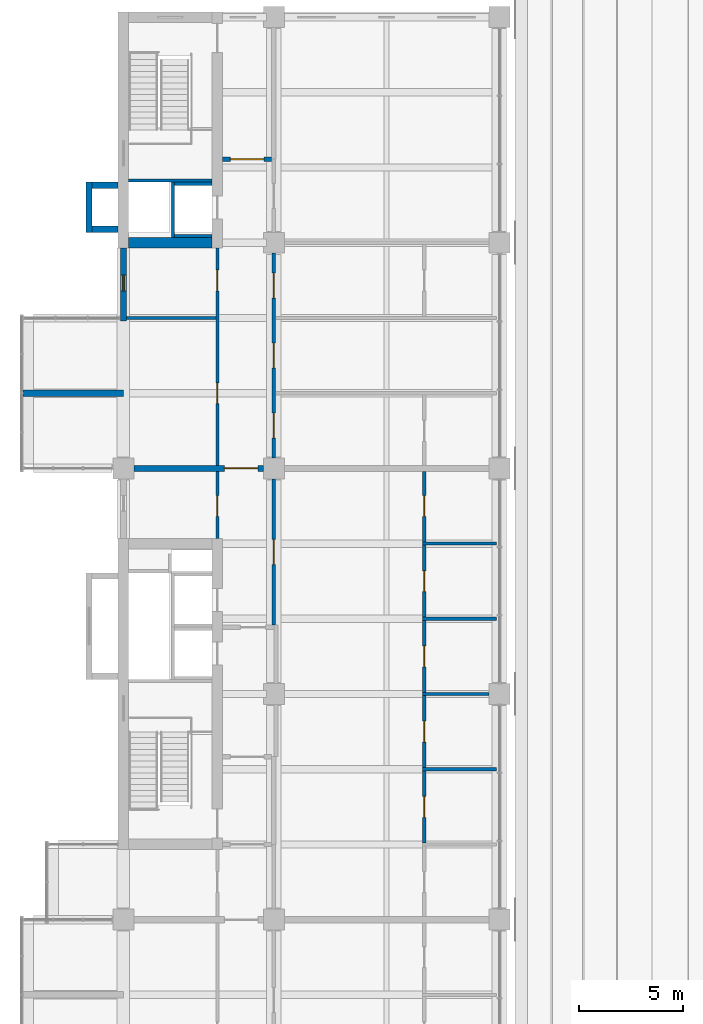
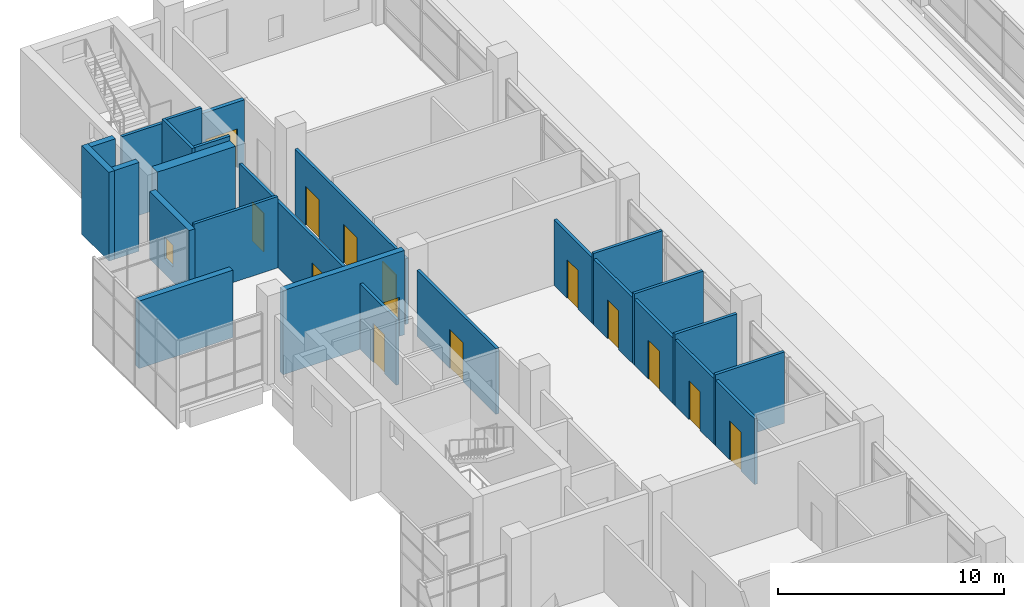
# One storey, part 33 of 45: 26 walls, 14 doors, 1 window, 15 openings.
"""IFC4 building model written with IfcOpenShell, lengths in metres."""

from ifc_helpers import new_model, si_unit, direction, frame, frame_2d, origin, place, context, subcontext, project, spatial, rectangle, extrude, material, layer, layer_set, type_object, element, fill, save


model = new_model("IFC4")

# Units and contexts
model_context = context("Model", 3, precision=1e-05, world=origin(), true_north=direction((0.0, 1.0)))
body_context = subcontext(model_context, "Body", "Model", "MODEL_VIEW")
ifc_project = project(units=[si_unit("LENGTHUNIT", "METRE"), si_unit("AREAUNIT", "SQUARE_METRE"), si_unit("VOLUMEUNIT", "CUBIC_METRE"), si_unit("PLANEANGLEUNIT", "RADIAN"), si_unit("MASSUNIT", "GRAM", prefix="KILO")], contexts=[model_context])

# Site, building, storey
site_placement = place(None, origin())
site = spatial("IfcSite", under=ifc_project, at=site_placement, CompositionType="ELEMENT")
building_placement = place(site_placement, origin())
building = spatial("IfcBuilding", under=site, at=building_placement, Name="Basin Gate Institute", CompositionType="ELEMENT")
storey_placement = place(building_placement, frame((0.0, 0.0, 22.199951171875)))
storey = spatial("IfcBuildingStorey", under=building, at=storey_placement, Name="L04", CompositionType="ELEMENT", Elevation=22.199951171875)

# Wall
ifc_material_1 = material(Name="Aluminium-faced insulated panel wall", Category="aluminium")
ifc_layer_1 = layer(ifc_material_1, 0.300048828125)
ifc_layer_set_1 = layer_set([ifc_layer_1], Name="Capsule side wall EW2 EI 120")
wall_type_1 = type_object("IfcWallType", Name="Capsule side wall EW2 EI 120", PredefinedType="STANDARD", material=ifc_layer_set_1)
wall_1_placement = place(storey_placement, frame((56.39990234375, 81.89990234375, 0.0), z_axis=(0.0, 0.0, 1.0), x_axis=(1.0, 0.0, 0.0)))
element("IfcWall", 1, at=wall_1_placement, inside=storey, type_object=wall_type_1, material=ifc_layer_set_1, Name="Capsule side wall W wing L04 line 14", PredefinedType="STANDARD", context=body_context, shape_type="SweptSolid", body=[
    extrude(rectangle(XDim=4.800048828125, YDim=0.300048828125, at=frame_2d((2.39990234375, 0.0))), origin(), (0.0, 0.0, 1.0), 3.650146484375),
])

# Wall, opening, door
ifc_material_2 = material(Name="Fire-rated masonry", Category="masonry")
ifc_layer_2 = layer(ifc_material_2, 0.199951171875)
ifc_layer_set_2 = layer_set([ifc_layer_2], Name="Enclosure wall PW2 200 EI 60")
wall_type_2 = type_object("IfcWallType", Name="Enclosure wall PW2 200 EI 60", PredefinedType="PARTITIONING", material=ifc_layer_set_2)
wall_2_placement = place(storey_placement, frame((65.949951171875, 93.10009765625, 0.0), z_axis=(0.0, 0.0, 1.0), x_axis=(1.0, 0.0, 0.0)))
wall_2 = element("IfcWall", 2, at=wall_2_placement, inside=storey, type_object=wall_type_2, material=ifc_layer_set_2, Name="Smoke lobby enclosure wall PW2 L04", PredefinedType="PARTITIONING", context=body_context, shape_type="SweptSolid", body=[
    extrude(rectangle(XDim=2.35009765625, YDim=0.199951171875, at=frame_2d((1.175048828125, 0.0))), origin(), (0.0, 0.0, 1.0), 3.550048828125),
])
opening_1_placement = place(wall_2_placement, frame((0.375, 0.0, 0.0)))
opening_1 = element("IfcOpeningElement", 3, at=opening_1_placement, cuts=wall_2, Name="Opening DR242", PredefinedType="OPENING", context=body_context, shape_type="SweptSolid", body=[
    extrude(rectangle(XDim=1.60009765625, YDim=2.10009765625, at=frame_2d((0.800048828125, 1.050048828125))), frame((0.0, 0.10986328125, 0.0), z_axis=(0.0, -1.0, 0.0), x_axis=(1.0, 0.0, 0.0)), (0.0, 0.0, 1.0), 0.219970703125),
])
ifc_material_3 = material(Name="Steel fire door", Category="steel")
door_type_1 = type_object("IfcDoorType", Name="FD60 Smoke lobby door pair D8", OperationType="DOUBLE_DOOR_SINGLE_SWING", PredefinedType="DOOR", material=ifc_material_3)
door_1_placement = place(opening_1_placement, origin())
door_1 = element("IfcDoor", 4, at=door_1_placement, inside=storey, type_object=door_type_1, material=ifc_material_3, Name="Smoke lobby door SS3 L04", OperationType="DOUBLE_DOOR_SINGLE_SWING", OverallHeight=2.10009765625, OverallWidth=1.60009765625, PredefinedType="DOOR", context=body_context, shape_type="SweptSolid", body=[
    extrude(rectangle(XDim=1.60009765625, YDim=2.10009765625, at=frame_2d((0.800048828125, 1.050048828125))), frame((0.0, 0.02490234375, 0.0), z_axis=(0.0, -1.0, 0.0), x_axis=(1.0, 0.0, 0.0)), (0.0, 0.0, 1.0), 0.050048828125),
])
fill(opening_1, door_1)

# Wall, opening, window
ifc_material_4 = material(Name="Aluminium-faced insulated panel wall", Category="aluminium")
ifc_layer_3 = layer(ifc_material_4, 0.300048828125)
ifc_layer_set_3 = layer_set([ifc_layer_3], Name="External wall EW1 EI 120")
wall_type_3 = type_object("IfcWallType", Name="External wall EW1 EI 120", PredefinedType="STANDARD", material=ifc_layer_set_3)
wall_3_placement = place(storey_placement, frame((61.199951171875, 85.35009765625, 0.0), z_axis=(0.0, 0.0, 1.0), x_axis=(0.0, 1.0, 0.0)))
wall_3 = element("IfcWall", 5, at=wall_3_placement, inside=storey, type_object=wall_type_3, material=ifc_layer_set_3, Name="External wall W facade L04 2", PredefinedType="STANDARD", context=body_context, shape_type="SweptSolid", body=[
    extrude(rectangle(XDim=3.5, YDim=0.300048828125, at=frame_2d((1.75, 0.0))), origin(), (0.0, 0.0, 1.0), 3.650146484375),
])
opening_2_placement = place(wall_3_placement, frame((1.449951171875, 0.0, 0.800048828125)))
opening_2 = element("IfcOpeningElement", 6, at=opening_2_placement, cuts=wall_3, Name="Opening WN3", PredefinedType="OPENING", context=body_context, shape_type="SweptSolid", body=[
    extrude(rectangle(XDim=0.75, YDim=1.199951171875, at=frame_2d((0.375, 0.60009765625))), frame((0.0, 0.16015625, 0.0), z_axis=(0.0, -1.0, 0.0), x_axis=(1.0, 0.0, 0.0)), (0.0, 0.0, 1.0), 0.320068359375),
])
ifc_material_5 = material(Name="Aluminium-framed double glazing", Category="aluminium")
window_type = type_object("IfcWindowType", Name="Emergency entry panel WN3", PartitioningType="SINGLE_PANEL", PredefinedType="WINDOW", material=ifc_material_5)
window_placement = place(opening_2_placement, origin())
window = element("IfcWindow", 7, at=window_placement, inside=storey, type_object=window_type, material=ifc_material_5, Name="Emergency entry panel W facade L04 bay 15", OverallHeight=1.199951171875, OverallWidth=0.75, PartitioningType="SINGLE_PANEL", PredefinedType="WINDOW", context=body_context, shape_type="SweptSolid", body=[
    extrude(rectangle(XDim=0.75, YDim=1.199951171875, at=frame_2d((0.375, 0.60009765625))), frame((0.0, 0.030029296875, 0.0), z_axis=(0.0, -1.0, 0.0), x_axis=(1.0, 0.0, 0.0)), (0.0, 0.0, 1.0), 0.06005859375),
])
fill(opening_2, window)

# Wall, opening, door
ifc_material_6 = material(Name="Gypsum board on steel stud", Category="steel")
ifc_layer_4 = layer(ifc_material_6, 0.14990234375)
ifc_layer_set_4 = layer_set([ifc_layer_4], Name="Gypsum board on steel stud")
wall_type_4 = type_object("IfcWallType", Name="Partition PW1 150 EI 60", PredefinedType="PARTITIONING", material=ifc_layer_set_4)
wall_4_placement = place(storey_placement, frame((65.699951171875, 74.949951171875, 0.0), z_axis=(0.0, 0.0, 1.0), x_axis=(0.0, 1.0, 0.0)))
wall_4 = element("IfcWall", 8, at=wall_4_placement, inside=storey, type_object=wall_type_4, material=ifc_layer_set_4, Name="Corridor wall PW1 L04", PredefinedType="PARTITIONING", context=body_context, shape_type="SweptSolid", body=[
    extrude(rectangle(XDim=3.199951171875, YDim=0.14990234375, at=frame_2d((1.60009765625, 0.0))), origin(), (0.0, 0.0, 1.0), 3.550048828125),
])
opening_3_placement = place(wall_4_placement, frame((1.050048828125, 0.0, 0.0)))
opening_3 = element("IfcOpeningElement", 9, at=opening_3_placement, cuts=wall_4, Name="Opening DR214", PredefinedType="OPENING", context=body_context, shape_type="SweptSolid", body=[
    extrude(rectangle(XDim=1.0, YDim=2.10009765625, at=frame_2d((0.5, 1.050048828125))), frame((0.0, 0.0849609375, 0.0), z_axis=(0.0, -1.0, 0.0), x_axis=(1.0, 0.0, 0.0)), (0.0, 0.0, 1.0), 0.169921875),
])
ifc_material_7 = material(Name="Timber fire door", Category="wood")
door_type_2 = type_object("IfcDoorType", Name="FD30 Toilet door D3", OperationType="NOTDEFINED", PredefinedType="DOOR", material=ifc_material_7)
door_2_placement = place(opening_3_placement, origin())
door_2 = element("IfcDoor", 10, at=door_2_placement, inside=storey, type_object=door_type_2, material=ifc_material_7, Name="Door to Female WC L04", OperationType="SINGLE_SWING_LEFT", OverallHeight=2.10009765625, OverallWidth=1.0, PredefinedType="DOOR", context=body_context, shape_type="SweptSolid", body=[
    extrude(rectangle(XDim=1.0, YDim=2.10009765625, at=frame_2d((0.5, 1.050048828125))), frame((0.0, 0.02490234375, 0.0), z_axis=(0.0, -1.0, 0.0), x_axis=(1.0, 0.0, 0.0)), (0.0, 0.0, 1.0), 0.050048828125),
])
fill(opening_3, door_2)

# Wall, openings, doors
wall_5_placement = place(storey_placement, frame((65.699951171875, 78.449951171875, 0.0), z_axis=(0.0, 0.0, 1.0), x_axis=(0.0, 1.0, 0.0)))
wall_5 = element("IfcWall", 11, at=wall_5_placement, inside=storey, type_object=wall_type_4, material=ifc_layer_set_4, Name="Corridor wall PW1 L04", PredefinedType="PARTITIONING", context=body_context, shape_type="SweptSolid", body=[
    extrude(rectangle(XDim=10.400146484375, YDim=0.14990234375, at=frame_2d((5.2001953125, 0.0))), origin(), (0.0, 0.0, 1.0), 3.550048828125),
])
opening_4_placement = place(wall_5_placement, frame((8.35009765625, 0.0, 0.0)))
opening_4 = element("IfcOpeningElement", 12, at=opening_4_placement, cuts=wall_5, Name="Opening DR212", PredefinedType="OPENING", context=body_context, shape_type="SweptSolid", body=[
    extrude(rectangle(XDim=1.0, YDim=2.10009765625, at=frame_2d((0.5, 1.050048828125))), frame((0.0, 0.0849609375, 0.0), z_axis=(0.0, -1.0, 0.0), x_axis=(1.0, 0.0, 0.0)), (0.0, 0.0, 1.0), 0.169921875),
])
opening_5_placement = place(wall_5_placement, frame((2.949951171875, 0.0, 0.0)))
opening_5 = element("IfcOpeningElement", 13, at=opening_5_placement, cuts=wall_5, Name="Opening DR219", PredefinedType="OPENING", context=body_context, shape_type="SweptSolid", body=[
    extrude(rectangle(XDim=1.0, YDim=2.10009765625, at=frame_2d((0.5, 1.050048828125))), frame((0.0, 0.0849609375, 0.0), z_axis=(0.0, -1.0, 0.0), x_axis=(1.0, 0.0, 0.0)), (0.0, 0.0, 1.0), 0.169921875),
])
ifc_material_8 = material(Name="Timber fire door", Category="wood")
door_type_3 = type_object("IfcDoorType", Name="FD30 Office door D1", OperationType="NOTDEFINED", PredefinedType="DOOR", material=ifc_material_8)
door_3_placement = place(opening_5_placement, origin())
door_3 = element("IfcDoor", 14, at=door_3_placement, inside=storey, type_object=door_type_3, material=ifc_material_8, Name="Door to Meeting Room 0404 L04", OperationType="SINGLE_SWING_LEFT", OverallHeight=2.10009765625, OverallWidth=1.0, PredefinedType="DOOR", context=body_context, shape_type="SweptSolid", body=[
    extrude(rectangle(XDim=1.0, YDim=2.10009765625, at=frame_2d((0.5, 1.050048828125))), frame((0.0, 0.02490234375, 0.0), z_axis=(0.0, -1.0, 0.0), x_axis=(1.0, 0.0, 0.0)), (0.0, 0.0, 1.0), 0.050048828125),
])
fill(opening_5, door_3)
door_4_placement = place(opening_4_placement, origin())
door_4 = element("IfcDoor", 15, at=door_4_placement, inside=storey, type_object=door_type_2, material=ifc_material_7, Name="Door to Accessible WC L04", OperationType="SINGLE_SWING_RIGHT", OverallHeight=2.10009765625, OverallWidth=1.0, PredefinedType="DOOR", context=body_context, shape_type="SweptSolid", body=[
    extrude(rectangle(XDim=1.0, YDim=2.10009765625, at=frame_2d((0.5, 1.050048828125))), frame((0.0, 0.02490234375, 0.0), z_axis=(0.0, -1.0, 0.0), x_axis=(1.0, 0.0, 0.0)), (0.0, 0.0, 1.0), 0.050048828125),
])
fill(opening_4, door_4)

# Wall, opening, door
wall_6_placement = place(storey_placement, frame((68.39990234375, 70.800048828125, 0.0), z_axis=(0.0, 0.0, 1.0), x_axis=(0.0, 1.0, 0.0)))
wall_6 = element("IfcWall", 16, at=wall_6_placement, inside=storey, type_object=wall_type_4, material=ifc_layer_set_4, Name="Laboratory corridor wall PW1 L04", PredefinedType="PARTITIONING", context=body_context, shape_type="SweptSolid", body=[
    extrude(rectangle(XDim=7.0, YDim=0.14990234375, at=frame_2d((3.5, 0.0))), origin(), (0.0, 0.0, 1.0), 3.550048828125),
])
opening_6_placement = place(wall_6_placement, frame((2.89990234375, 0.0, 0.0)))
opening_6 = element("IfcOpeningElement", 17, at=opening_6_placement, cuts=wall_6, Name="Opening DR222", PredefinedType="OPENING", context=body_context, shape_type="SweptSolid", body=[
    extrude(rectangle(XDim=1.199951171875, YDim=2.10009765625, at=frame_2d((0.60009765625, 1.050048828125))), frame((0.0, 0.0849609375, 0.0), z_axis=(0.0, -1.0, 0.0), x_axis=(1.0, 0.0, 0.0)), (0.0, 0.0, 1.0), 0.169921875),
])
ifc_material_9 = material(Name="Timber fire door", Category="wood")
door_type_4 = type_object("IfcDoorType", Name="FD30 Laboratory door D2", OperationType="DOUBLE_DOOR_SINGLE_SWING", PredefinedType="DOOR", material=ifc_material_9)
door_5_placement = place(opening_6_placement, frame((1.199951171875, 0.0, 0.0), z_axis=(0.0, 0.0, 1.0), x_axis=(-1.0, 0.0, 0.0)))
door_5 = element("IfcDoor", 18, at=door_5_placement, inside=storey, type_object=door_type_4, material=ifc_material_9, Name="Door to Wet Laboratory 0422 L04", OperationType="DOUBLE_DOOR_SINGLE_SWING", OverallHeight=2.10009765625, OverallWidth=1.199951171875, PredefinedType="DOOR", context=body_context, shape_type="SweptSolid", body=[
    extrude(rectangle(XDim=1.199951171875, YDim=2.10009765625, at=frame_2d((0.60009765625, 1.050048828125))), frame((0.0, 0.02490234375, 0.0), z_axis=(0.0, -1.0, 0.0), x_axis=(1.0, 0.0, 0.0)), (0.0, 0.0, 1.0), 0.050048828125),
])
fill(opening_6, door_5)

# Wall, openings, doors
wall_7_placement = place(storey_placement, frame((68.39990234375, 78.800048828125, 0.0), z_axis=(0.0, 0.0, 1.0), x_axis=(0.0, 1.0, 0.0)))
wall_7 = element("IfcWall", 19, at=wall_7_placement, inside=storey, type_object=wall_type_4, material=ifc_layer_set_4, Name="Laboratory corridor wall PW1 L04", PredefinedType="PARTITIONING", context=body_context, shape_type="SweptSolid", body=[
    extrude(rectangle(XDim=9.800048828125, YDim=0.14990234375, at=frame_2d((4.89990234375, 0.0))), origin(), (0.0, 0.0, 1.0), 3.550048828125),
])
opening_7_placement = place(wall_7_placement, frame((4.300048828125, 0.0, 0.0)))
opening_7 = element("IfcOpeningElement", 20, at=opening_7_placement, cuts=wall_7, Name="Opening DR215", PredefinedType="OPENING", context=body_context, shape_type="SweptSolid", body=[
    extrude(rectangle(XDim=1.199951171875, YDim=2.10009765625, at=frame_2d((0.60009765625, 1.050048828125))), frame((0.0, 0.0849609375, 0.0), z_axis=(0.0, -1.0, 0.0), x_axis=(1.0, 0.0, 0.0)), (0.0, 0.0, 1.0), 0.169921875),
])
opening_8_placement = place(wall_7_placement, frame((0.949951171875, 0.0, 0.0)))
opening_8 = element("IfcOpeningElement", 21, at=opening_8_placement, cuts=wall_7, Name="Opening DR223", PredefinedType="OPENING", context=body_context, shape_type="SweptSolid", body=[
    extrude(rectangle(XDim=1.199951171875, YDim=2.10009765625, at=frame_2d((0.60009765625, 1.050048828125))), frame((0.0, 0.0849609375, 0.0), z_axis=(0.0, -1.0, 0.0), x_axis=(1.0, 0.0, 0.0)), (0.0, 0.0, 1.0), 0.169921875),
])
opening_9_placement = place(wall_7_placement, frame((7.64990234375, 0.0, 0.0)))
opening_9 = element("IfcOpeningElement", 22, at=opening_9_placement, cuts=wall_7, Name="Opening DR224", PredefinedType="OPENING", context=body_context, shape_type="SweptSolid", body=[
    extrude(rectangle(XDim=1.199951171875, YDim=2.10009765625, at=frame_2d((0.60009765625, 1.050048828125))), frame((0.0, 0.0849609375, 0.0), z_axis=(0.0, -1.0, 0.0), x_axis=(1.0, 0.0, 0.0)), (0.0, 0.0, 1.0), 0.169921875),
])
door_6_placement = place(opening_7_placement, frame((1.199951171875, 0.0, 0.0), z_axis=(0.0, 0.0, 1.0), x_axis=(-1.0, 0.0, 0.0)))
door_6 = element("IfcDoor", 23, at=door_6_placement, inside=storey, type_object=door_type_4, material=ifc_material_9, Name="Door to Instrument Room 0431 L04", OperationType="DOUBLE_DOOR_SINGLE_SWING", OverallHeight=2.10009765625, OverallWidth=1.199951171875, PredefinedType="DOOR", context=body_context, shape_type="SweptSolid", body=[
    extrude(rectangle(XDim=1.199951171875, YDim=2.10009765625, at=frame_2d((0.60009765625, 1.050048828125))), frame((0.0, 0.02490234375, 0.0), z_axis=(0.0, -1.0, 0.0), x_axis=(1.0, 0.0, 0.0)), (0.0, 0.0, 1.0), 0.050048828125),
])
fill(opening_7, door_6)
door_7_placement = place(opening_8_placement, frame((1.199951171875, 0.0, 0.0), z_axis=(0.0, 0.0, 1.0), x_axis=(-1.0, 0.0, 0.0)))
door_7 = element("IfcDoor", 24, at=door_7_placement, inside=storey, type_object=door_type_4, material=ifc_material_9, Name="Door to Wet Laboratory 0429 L04", OperationType="DOUBLE_DOOR_SINGLE_SWING", OverallHeight=2.10009765625, OverallWidth=1.199951171875, PredefinedType="DOOR", context=body_context, shape_type="SweptSolid", body=[
    extrude(rectangle(XDim=1.199951171875, YDim=2.10009765625, at=frame_2d((0.60009765625, 1.050048828125))), frame((0.0, 0.02490234375, 0.0), z_axis=(0.0, -1.0, 0.0), x_axis=(1.0, 0.0, 0.0)), (0.0, 0.0, 1.0), 0.050048828125),
])
fill(opening_8, door_7)
door_8_placement = place(opening_9_placement, frame((1.199951171875, 0.0, 0.0), z_axis=(0.0, 0.0, 1.0), x_axis=(-1.0, 0.0, 0.0)))
door_8 = element("IfcDoor", 25, at=door_8_placement, inside=storey, type_object=door_type_4, material=ifc_material_9, Name="Door to Wet Laboratory 0432 L04", OperationType="DOUBLE_DOOR_SINGLE_SWING", OverallHeight=2.10009765625, OverallWidth=1.199951171875, PredefinedType="DOOR", context=body_context, shape_type="SweptSolid", body=[
    extrude(rectangle(XDim=1.199951171875, YDim=2.10009765625, at=frame_2d((0.60009765625, 1.050048828125))), frame((0.0, 0.02490234375, 0.0), z_axis=(0.0, -1.0, 0.0), x_axis=(1.0, 0.0, 0.0)), (0.0, 0.0, 1.0), 0.050048828125),
])
fill(opening_9, door_8)

# Wall, opening, door
wall_8_placement = place(storey_placement, frame((75.60009765625, 60.375, 0.0), z_axis=(0.0, 0.0, 1.0), x_axis=(0.0, 1.0, 0.0)))
wall_8 = element("IfcWall", 26, at=wall_8_placement, inside=storey, type_object=wall_type_4, material=ifc_layer_set_4, Name="Laboratory partition PW1 L04", PredefinedType="PARTITIONING", context=body_context, shape_type="SweptSolid", body=[
    extrude(rectangle(XDim=3.449951171875, YDim=0.14990234375, at=frame_2d((1.72509765625, 0.0))), origin(), (0.0, 0.0, 1.0), 3.550048828125),
])
opening_10_placement = place(wall_8_placement, frame((1.22509765625, 0.0, 0.0)))
opening_10 = element("IfcOpeningElement", 27, at=opening_10_placement, cuts=wall_8, Name="Opening DR231", PredefinedType="OPENING", context=body_context, shape_type="SweptSolid", body=[
    extrude(rectangle(XDim=1.0, YDim=2.10009765625, at=frame_2d((0.5, 1.050048828125))), frame((0.0, 0.0849609375, 0.0), z_axis=(0.0, -1.0, 0.0), x_axis=(1.0, 0.0, 0.0)), (0.0, 0.0, 1.0), 0.169921875),
])
door_9_placement = place(opening_10_placement, origin())
door_9 = element("IfcDoor", 28, at=door_9_placement, inside=storey, type_object=door_type_3, material=ifc_material_8, Name="Door to Write-up Cell 0424 L04", OperationType="SINGLE_SWING_LEFT", OverallHeight=2.10009765625, OverallWidth=1.0, PredefinedType="DOOR", context=body_context, shape_type="SweptSolid", body=[
    extrude(rectangle(XDim=1.0, YDim=2.10009765625, at=frame_2d((0.5, 1.050048828125))), frame((0.0, 0.02490234375, 0.0), z_axis=(0.0, -1.0, 0.0), x_axis=(1.0, 0.0, 0.0)), (0.0, 0.0, 1.0), 0.050048828125),
])
fill(opening_10, door_9)

wall_9_placement = place(storey_placement, frame((75.60009765625, 63.97509765625, 0.0), z_axis=(0.0, 0.0, 1.0), x_axis=(0.0, 1.0, 0.0)))
wall_9 = element("IfcWall", 29, at=wall_9_placement, inside=storey, type_object=wall_type_4, material=ifc_layer_set_4, Name="Laboratory partition PW1 L04", PredefinedType="PARTITIONING", context=body_context, shape_type="SweptSolid", body=[
    extrude(rectangle(XDim=3.449951171875, YDim=0.14990234375, at=frame_2d((1.72509765625, 0.0))), origin(), (0.0, 0.0, 1.0), 3.550048828125),
])
opening_11_placement = place(wall_9_placement, frame((1.22509765625, 0.0, 0.0)))
opening_11 = element("IfcOpeningElement", 30, at=opening_11_placement, cuts=wall_9, Name="Opening DR232", PredefinedType="OPENING", context=body_context, shape_type="SweptSolid", body=[
    extrude(rectangle(XDim=1.0, YDim=2.10009765625, at=frame_2d((0.5, 1.050048828125))), frame((0.0, 0.0849609375, 0.0), z_axis=(0.0, -1.0, 0.0), x_axis=(1.0, 0.0, 0.0)), (0.0, 0.0, 1.0), 0.169921875),
])
door_10_placement = place(opening_11_placement, origin())
door_10 = element("IfcDoor", 31, at=door_10_placement, inside=storey, type_object=door_type_3, material=ifc_material_8, Name="Door to Write-up Cell 0425 L04", OperationType="SINGLE_SWING_LEFT", OverallHeight=2.10009765625, OverallWidth=1.0, PredefinedType="DOOR", context=body_context, shape_type="SweptSolid", body=[
    extrude(rectangle(XDim=1.0, YDim=2.10009765625, at=frame_2d((0.5, 1.050048828125))), frame((0.0, 0.02490234375, 0.0), z_axis=(0.0, -1.0, 0.0), x_axis=(1.0, 0.0, 0.0)), (0.0, 0.0, 1.0), 0.050048828125),
])
fill(opening_11, door_10)

wall_10_placement = place(storey_placement, frame((75.60009765625, 67.574951171875, 0.0), z_axis=(0.0, 0.0, 1.0), x_axis=(0.0, 1.0, 0.0)))
wall_10 = element("IfcWall", 32, at=wall_10_placement, inside=storey, type_object=wall_type_4, material=ifc_layer_set_4, Name="Laboratory partition PW1 L04", PredefinedType="PARTITIONING", context=body_context, shape_type="SweptSolid", body=[
    extrude(rectangle(XDim=3.449951171875, YDim=0.14990234375, at=frame_2d((1.72509765625, 0.0))), origin(), (0.0, 0.0, 1.0), 3.550048828125),
])
opening_12_placement = place(wall_10_placement, frame((1.22509765625, 0.0, 0.0)))
opening_12 = element("IfcOpeningElement", 33, at=opening_12_placement, cuts=wall_10, Name="Opening DR233", PredefinedType="OPENING", context=body_context, shape_type="SweptSolid", body=[
    extrude(rectangle(XDim=1.0, YDim=2.10009765625, at=frame_2d((0.5, 1.050048828125))), frame((0.0, 0.0849609375, 0.0), z_axis=(0.0, -1.0, 0.0), x_axis=(1.0, 0.0, 0.0)), (0.0, 0.0, 1.0), 0.169921875),
])
door_11_placement = place(opening_12_placement, origin())
door_11 = element("IfcDoor", 34, at=door_11_placement, inside=storey, type_object=door_type_3, material=ifc_material_8, Name="Door to Write-up Cell 0426 L04", OperationType="SINGLE_SWING_LEFT", OverallHeight=2.10009765625, OverallWidth=1.0, PredefinedType="DOOR", context=body_context, shape_type="SweptSolid", body=[
    extrude(rectangle(XDim=1.0, YDim=2.10009765625, at=frame_2d((0.5, 1.050048828125))), frame((0.0, 0.02490234375, 0.0), z_axis=(0.0, -1.0, 0.0), x_axis=(1.0, 0.0, 0.0)), (0.0, 0.0, 1.0), 0.050048828125),
])
fill(opening_12, door_11)

wall_11_placement = place(storey_placement, frame((75.60009765625, 71.175048828125, 0.0), z_axis=(0.0, 0.0, 1.0), x_axis=(0.0, 1.0, 0.0)))
wall_11 = element("IfcWall", 35, at=wall_11_placement, inside=storey, type_object=wall_type_4, material=ifc_layer_set_4, Name="Laboratory partition PW1 L04", PredefinedType="PARTITIONING", context=body_context, shape_type="SweptSolid", body=[
    extrude(rectangle(XDim=3.449951171875, YDim=0.14990234375, at=frame_2d((1.72509765625, 0.0))), origin(), (0.0, 0.0, 1.0), 3.550048828125),
])
opening_13_placement = place(wall_11_placement, frame((1.22509765625, 0.0, 0.0)))
opening_13 = element("IfcOpeningElement", 36, at=opening_13_placement, cuts=wall_11, Name="Opening DR234", PredefinedType="OPENING", context=body_context, shape_type="SweptSolid", body=[
    extrude(rectangle(XDim=1.0, YDim=2.10009765625, at=frame_2d((0.5, 1.050048828125))), frame((0.0, 0.0849609375, 0.0), z_axis=(0.0, -1.0, 0.0), x_axis=(1.0, 0.0, 0.0)), (0.0, 0.0, 1.0), 0.169921875),
])
door_12_placement = place(opening_13_placement, origin())
door_12 = element("IfcDoor", 37, at=door_12_placement, inside=storey, type_object=door_type_3, material=ifc_material_8, Name="Door to Write-up Cell 0427 L04", OperationType="SINGLE_SWING_LEFT", OverallHeight=2.10009765625, OverallWidth=1.0, PredefinedType="DOOR", context=body_context, shape_type="SweptSolid", body=[
    extrude(rectangle(XDim=1.0, YDim=2.10009765625, at=frame_2d((0.5, 1.050048828125))), frame((0.0, 0.02490234375, 0.0), z_axis=(0.0, -1.0, 0.0), x_axis=(1.0, 0.0, 0.0)), (0.0, 0.0, 1.0), 0.050048828125),
])
fill(opening_13, door_12)

wall_12_placement = place(storey_placement, frame((75.60009765625, 74.77490234375, 0.0), z_axis=(0.0, 0.0, 1.0), x_axis=(0.0, 1.0, 0.0)))
wall_12 = element("IfcWall", 38, at=wall_12_placement, inside=storey, type_object=wall_type_4, material=ifc_layer_set_4, Name="Laboratory partition PW1 L04", PredefinedType="PARTITIONING", context=body_context, shape_type="SweptSolid", body=[
    extrude(rectangle(XDim=3.375, YDim=0.14990234375, at=frame_2d((1.6875, 0.0))), origin(), (0.0, 0.0, 1.0), 3.550048828125),
])
opening_14_placement = place(wall_12_placement, frame((1.22509765625, 0.0, 0.0)))
opening_14 = element("IfcOpeningElement", 39, at=opening_14_placement, cuts=wall_12, Name="Opening DR235", PredefinedType="OPENING", context=body_context, shape_type="SweptSolid", body=[
    extrude(rectangle(XDim=1.0, YDim=2.10009765625, at=frame_2d((0.5, 1.050048828125))), frame((0.0, 0.0849609375, 0.0), z_axis=(0.0, -1.0, 0.0), x_axis=(1.0, 0.0, 0.0)), (0.0, 0.0, 1.0), 0.169921875),
])
door_13_placement = place(opening_14_placement, origin())
door_13 = element("IfcDoor", 40, at=door_13_placement, inside=storey, type_object=door_type_3, material=ifc_material_8, Name="Door to Write-up Cell 0428 L04", OperationType="SINGLE_SWING_RIGHT", OverallHeight=2.10009765625, OverallWidth=1.0, PredefinedType="DOOR", context=body_context, shape_type="SweptSolid", body=[
    extrude(rectangle(XDim=1.0, YDim=2.10009765625, at=frame_2d((0.5, 1.050048828125))), frame((0.0, 0.02490234375, 0.0), z_axis=(0.0, -1.0, 0.0), x_axis=(1.0, 0.0, 0.0)), (0.0, 0.0, 1.0), 0.050048828125),
])
fill(opening_14, door_13)

# Walls
wall_13_placement = place(storey_placement, frame((75.52490234375, 63.89990234375, 0.0), z_axis=(0.0, 0.0, 1.0), x_axis=(1.0, 0.0, 0.0)))
element("IfcWall", 41, at=wall_13_placement, inside=storey, type_object=wall_type_4, material=ifc_layer_set_4, Name="Laboratory partition PW1 L04", PredefinedType="PARTITIONING", context=body_context, shape_type="SweptSolid", body=[
    extrude(rectangle(XDim=3.525146484375, YDim=0.14990234375, at=frame_2d((1.7626953125, 0.0))), origin(), (0.0, 0.0, 1.0), 3.85009765625),
])
wall_14_placement = place(storey_placement, frame((75.52490234375, 67.5, 0.0), z_axis=(0.0, 0.0, 1.0), x_axis=(1.0, 0.0, 0.0)))
element("IfcWall", 42, at=wall_14_placement, inside=storey, type_object=wall_type_4, material=ifc_layer_set_4, Name="Laboratory partition PW1 L04", PredefinedType="PARTITIONING", context=body_context, shape_type="SweptSolid", body=[
    extrude(rectangle(XDim=3.175048828125, YDim=0.14990234375, at=frame_2d((1.58740234375, 0.0))), origin(), (0.0, 0.0, 1.0), 3.85009765625),
])
for number, where, z_axis, x_axis, name in (
    (43, (75.52490234375, 71.10009765625, 0.0), (0.0, 0.0, 1.0), (1.0, 0.0, 0.0), "Laboratory partition PW1 L04"),
    (44, (75.52490234375, 74.699951171875, 0.0), (0.0, 0.0, 1.0), (1.0, 0.0, 0.0), "Laboratory partition PW1 L04"),
):
    element("IfcWall", number, at=place(storey_placement, frame(where, z_axis=z_axis, x_axis=x_axis)), inside=storey, type_object=wall_type_4, material=ifc_layer_set_4, Name=name, PredefinedType="PARTITIONING", context=body_context, shape_type="SweptSolid", body=[
        extrude(rectangle(XDim=3.525146484375, YDim=0.14990234375, at=frame_2d((1.7626953125, 0.0))), origin(), (0.0, 0.0, 1.0), 3.85009765625),
    ])
ifc_material_10 = material(Name="Gypsum board on steel stud", Category="steel")
ifc_layer_5 = layer(ifc_material_10, 0.14990234375)
ifc_layer_set_5 = layer_set([ifc_layer_5], Name="Gypsum board on steel stud")
wall_type_5 = type_object("IfcWallType", Name="Partition PW4 150", PredefinedType="PARTITIONING", material=ifc_layer_set_5)
wall_15_placement = place(storey_placement, frame((61.35009765625, 85.5, 0.0), z_axis=(0.0, 0.0, 1.0), x_axis=(1.0, 0.0, 0.0)))
element("IfcWall", 45, at=wall_15_placement, inside=storey, type_object=wall_type_5, material=ifc_layer_set_5, Name="Toilet partition PW4 L04", PredefinedType="PARTITIONING", context=body_context, shape_type="SweptSolid", body=[
    extrude(rectangle(XDim=4.27490234375, YDim=0.14990234375, at=frame_2d((2.137451171875, 0.0))), origin(), (0.0, 0.0, 1.0), 3.85009765625),
])
ifc_material_11 = material(Name="Concrete 40 MPa", Category="concrete")
ifc_layer_6 = layer(ifc_material_11, 0.14990234375)
ifc_layer_set_6 = layer_set([ifc_layer_6], Name="Concrete 40 MPa")
wall_type_6 = type_object("IfcWallType", Name="Wall LS1 lift shaft enclosure R120", PredefinedType="SOLIDWALL", material=ifc_layer_set_6)
wall_16_placement = place(storey_placement, frame((63.574951171875, 92.0, 0.0), z_axis=(0.0, 0.0, 1.0), x_axis=(0.0, -1.0, 0.0)))
element("IfcWall", 46, at=wall_16_placement, inside=storey, type_object=wall_type_6, material=ifc_layer_set_6, Name="Lift shaft enclosure LP3 L04 UL", PredefinedType="SOLIDWALL", context=body_context, shape_type="SweptSolid", body=[
    extrude(rectangle(XDim=2.64990234375, YDim=0.14990234375, at=frame_2d((1.324951171875, 0.0))), origin(), (0.0, 0.0, 1.0), 4.800048828125),
])
for number, where, z_axis, x_axis, name in (
    (47, (63.64990234375, 91.925048828125, 0.0), (0.0, 0.0, 1.0), (1.0, 0.0, 0.0), "Lift shaft enclosure LP3 L04 RL"),
    (48, (63.64990234375, 89.425048828125, 0.0), (0.0, 0.0, 1.0), (1.0, 0.0, 0.0), "Lift shaft enclosure LP3 L04 RH"),
):
    element("IfcWall", number, at=place(storey_placement, frame(where, z_axis=z_axis, x_axis=x_axis)), inside=storey, type_object=wall_type_6, material=ifc_layer_set_6, Name=name, PredefinedType="SOLIDWALL", context=body_context, shape_type="SweptSolid", body=[
        extrude(rectangle(XDim=1.800048828125, YDim=0.14990234375, at=frame_2d((0.89990234375, 0.0))), origin(), (0.0, 0.0, 1.0), 4.800048828125),
    ])
ifc_material_12 = material(Name="Concrete 40 MPa", Category="concrete")
ifc_layer_7 = layer(ifc_material_12, 0.14990234375)
ifc_layer_set_7 = layer_set([ifc_layer_7], Name="Concrete 40 MPa")
wall_type_7 = type_object("IfcWallType", Name="Wall SE1 stair enclosure R120", PredefinedType="SOLIDWALL", material=ifc_layer_set_7)
wall_17_placement = place(storey_placement, frame((61.449951171875, 92.074951171875, 0.0), z_axis=(0.0, 0.0, 1.0), x_axis=(1.0, 0.0, 0.0)))
element("IfcWall", 49, at=wall_17_placement, inside=storey, type_object=wall_type_7, material=ifc_layer_set_7, Name="Stair enclosure wall ST-WN L04", PredefinedType="SOLIDWALL", context=body_context, shape_type="SweptSolid", body=[
    extrude(rectangle(XDim=4.0, YDim=0.14990234375, at=frame_2d((2.0, 0.0))), origin(), (0.0, 0.0, 1.0), 4.550048828125),
])
ifc_material_13 = material(Name="Concrete 50 MPa", Category="concrete")
ifc_layer_8 = layer(ifc_material_13, 0.300048828125)
ifc_layer_set_8 = layer_set([ifc_layer_8], Name="Concrete 50 MPa")
wall_type_8 = type_object("IfcWallType", Name="Wall SK1 R120", PredefinedType="SHEAR", material=ifc_layer_set_8)
wall_18_placement = place(storey_placement, frame((59.550048828125, 89.60009765625, 0.0), z_axis=(0.0, 0.0, 1.0), x_axis=(0.0, 1.0, 0.0)))
element("IfcWall", 50, at=wall_18_placement, inside=storey, type_object=wall_type_8, material=ifc_layer_set_8, Name="Spine riser stack wall SK1 WN F L04", PredefinedType="SHEAR", context=body_context, shape_type="SweptSolid", body=[
    extrude(rectangle(XDim=2.39990234375, YDim=0.300048828125, at=frame_2d((1.199951171875, 0.0))), origin(), (0.0, 0.0, 1.0), 4.800048828125),
])
for number, where, z_axis, x_axis, name in (
    (51, (60.949951171875, 89.75, 0.0), (0.0, 0.0, 1.0), (-1.0, 0.0, 0.0), "Spine riser stack wall SK1 WN A L04"),
    (52, (60.949951171875, 91.85009765625, 0.0), (0.0, 0.0, 1.0), (-1.0, 0.0, 0.0), "Spine riser stack wall SK1 WN B L04"),
):
    element("IfcWall", number, at=place(storey_placement, frame(where, z_axis=z_axis, x_axis=x_axis)), inside=storey, type_object=wall_type_8, material=ifc_layer_set_8, Name=name, PredefinedType="SHEAR", context=body_context, shape_type="SweptSolid", body=[
        extrude(rectangle(XDim=1.25, YDim=0.300048828125, at=frame_2d((0.625, 0.0))), origin(), (0.0, 0.0, 1.0), 4.800048828125),
    ])
ifc_material_14 = material(Name="Concrete 60 MPa", Category="concrete")
ifc_layer_9 = layer(ifc_material_14, 0.5)
ifc_layer_set_9 = layer_set([ifc_layer_9], Name="Concrete 60 MPa")
wall_type_9 = type_object("IfcWallType", Name="Wall SW1 R120", PredefinedType="SHEAR", material=ifc_layer_set_9)
wall_19_placement = place(storey_placement, frame((61.449951171875, 89.10009765625, 0.0), z_axis=(0.0, 0.0, 1.0), x_axis=(1.0, 0.0, 0.0)))
element("IfcWall", 53, at=wall_19_placement, inside=storey, type_object=wall_type_9, material=ifc_layer_set_9, Name="WALL/L04/WN/S", PredefinedType="SHEAR", context=body_context, shape_type="SweptSolid", body=[
    extrude(rectangle(XDim=4.0, YDim=0.5, at=frame_2d((2.0, 0.0))), origin(), (0.0, 0.0, 1.0), 4.550048828125),
])

# Wall, opening, door
ifc_material_15 = material(Name="Concrete 50 MPa", Category="concrete")
ifc_layer_10 = layer(ifc_material_15, 0.300048828125)
ifc_layer_set_10 = layer_set([ifc_layer_10], Name="Concrete 50 MPa")
wall_type_10 = type_object("IfcWallType", Name="Wall XW1 R120", PredefinedType="SHEAR", material=ifc_layer_set_10)
wall_20_placement = place(storey_placement, frame((61.699951171875, 78.300048828125, 0.0), z_axis=(0.0, 0.0, 1.0), x_axis=(1.0, 0.0, 0.0)))
wall_20 = element("IfcWall", 54, at=wall_20_placement, inside=storey, type_object=wall_type_10, material=ifc_layer_set_10, Name="WALL/L04/WXE/1", PredefinedType="SHEAR", context=body_context, shape_type="SweptSolid", body=[
    extrude(rectangle(XDim=6.199951171875, YDim=0.300048828125, at=frame_2d((3.10009765625, 0.0))), origin(), (0.0, 0.0, 1.0), 4.550048828125),
])
opening_15_placement = place(wall_20_placement, frame((4.33740234375, 0.0, 0.0)))
opening_15 = element("IfcOpeningElement", 55, at=opening_15_placement, cuts=wall_20, Name="Opening DR244", PredefinedType="OPENING", context=body_context, shape_type="SweptSolid", body=[
    extrude(rectangle(XDim=1.60009765625, YDim=2.10009765625, at=frame_2d((0.800048828125, 1.050048828125))), frame((0.0, 0.16015625, 0.0), z_axis=(0.0, -1.0, 0.0), x_axis=(1.0, 0.0, 0.0)), (0.0, 0.0, 1.0), 0.320068359375),
])
ifc_material_16 = material(Name="Steel fire door", Category="steel")
door_type_5 = type_object("IfcDoorType", Name="FD60 Compartment door pair D7", OperationType="DOUBLE_DOOR_SINGLE_SWING", PredefinedType="DOOR", material=ifc_material_16)
door_14_placement = place(opening_15_placement, frame((1.60009765625, 0.0, 0.0), z_axis=(0.0, 0.0, 1.0), x_axis=(-1.0, 0.0, 0.0)))
door_14 = element("IfcDoor", 56, at=door_14_placement, inside=storey, type_object=door_type_5, material=ifc_material_16, Name="Compartment door pair L04 W2 L04", OperationType="DOUBLE_DOOR_SINGLE_SWING", OverallHeight=2.10009765625, OverallWidth=1.60009765625, PredefinedType="DOOR", context=body_context, shape_type="SweptSolid", body=[
    extrude(rectangle(XDim=1.60009765625, YDim=2.10009765625, at=frame_2d((0.800048828125, 1.050048828125))), frame((0.0, 0.02490234375, 0.0), z_axis=(0.0, -1.0, 0.0), x_axis=(1.0, 0.0, 0.0)), (0.0, 0.0, 1.0), 0.050048828125),
])
fill(opening_15, door_14)

save(model, "model.ifc")
